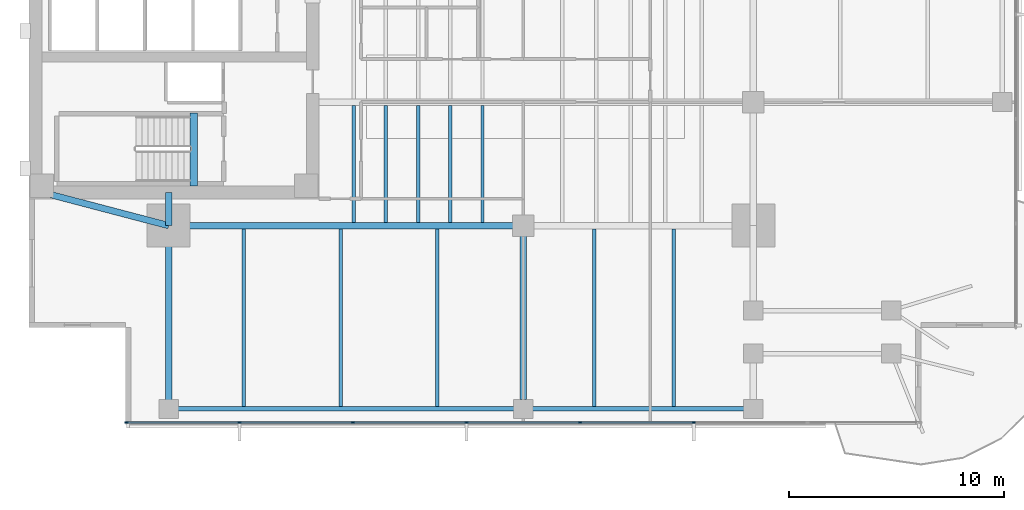
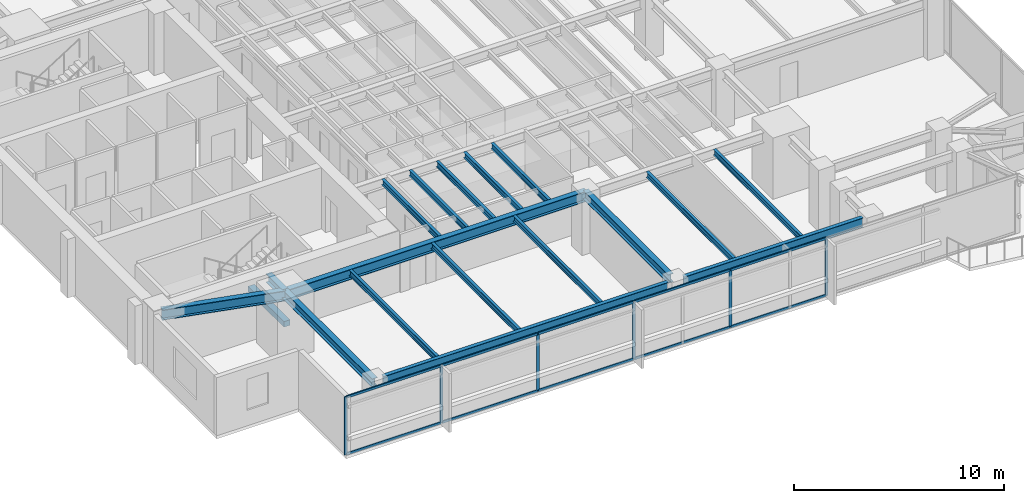
# One storey, part 2 of 14: 18 beams, 16 members, 1 element without a shape of its own.
"""IFC4 building model written with IfcOpenShell, lengths in metres."""

from ifc_helpers import new_model, si_unit, direction, frame, origin, origin_2d, place, context, subcontext, project, spatial, rectangle, i_section, extrude, material, layer, layer_set, material_profile, profile_set, type_object, element, aggregate, save


model = new_model("IFC4")

# Units and contexts
model_context = context("Model", 3, precision=1e-05, world=origin(), true_north=direction((0.0, 1.0)))
body_context = subcontext(model_context, "Body", "Model", "MODEL_VIEW")
ifc_project = project(units=[si_unit("LENGTHUNIT", "METRE"), si_unit("AREAUNIT", "SQUARE_METRE"), si_unit("VOLUMEUNIT", "CUBIC_METRE"), si_unit("PLANEANGLEUNIT", "RADIAN"), si_unit("MASSUNIT", "GRAM", prefix="KILO")], contexts=[model_context])

# Site, building, storey
site_placement = place(None, origin())
site = spatial("IfcSite", under=ifc_project, at=site_placement, CompositionType="ELEMENT")
building_placement = place(site_placement, origin())
building = spatial("IfcBuilding", under=site, at=building_placement, Name="Kinhvarn Gate Tower", CompositionType="ELEMENT")
storey_placement = place(building_placement, frame((0.0, 0.0, 144.85009765625)))
storey = spatial("IfcBuildingStorey", under=building, at=storey_placement, Name="L38", CompositionType="ELEMENT", Elevation=144.85009765625)

# Beam
ifc_material_1 = material(Name="Concrete C50/60", Category="concrete")
ifc_material_profile_1 = material_profile(ifc_material_1, rectangle(XDim=0.340087890625, YDim=0.320068359375, at=origin_2d()), Name="RC 340x320")
ifc_profile_set_1 = profile_set([ifc_material_profile_1], Name="Concrete C50/60")
beam_type_1 = type_object("IfcBeamType", Name="BM-LND-500", PredefinedType="BEAM", material=ifc_profile_set_1)
beam_1_placement = place(storey_placement, frame((12.1650390625, 14.60009765625, -0.16015625), z_axis=(0.0, 1.0, 0.0), x_axis=(-1.0, 0.0, 0.0)))
element("IfcBeam", 1, at=beam_1_placement, inside=storey, type_object=beam_type_1, Name="Stair ST1 Landing Nosing Beam (L38)", PredefinedType="BEAM", context=body_context, shape_type="SweptSolid", body=[
    extrude(rectangle(XDim=0.340087890625, YDim=0.320068359375, at=origin_2d()), origin(), (0.0, 0.0, 1.0), 3.39990234375),
])

# Curtain wall, members
ifc_material_2 = material(Name="Anodised aluminium AW-6063", Category="aluminium")
ifc_layer = layer(ifc_material_2, 0.179931640625)
ifc_layer_set = layer_set([ifc_layer], Name="Anodised aluminium AW-6063")
curtain_wall_type = type_object("IfcCurtainWallType", Name="CW-SYS-3", PredefinedType="NOTDEFINED", material=ifc_layer_set)
curtain_wall_placement = place(storey_placement, origin())
curtain_wall = element("IfcCurtainWall", 2, at=curtain_wall_placement, inside=storey, type_object=curtain_wall_type, Name="Curtain Wall CW3 (L38)", PredefinedType="NOTDEFINED")
ifc_material_profile_2 = material_profile(ifc_material_2, rectangle(XDim=0.06494140625, YDim=0.159912109375, at=origin_2d()), Name="ALU 65x160")
ifc_profile_set_2 = profile_set([ifc_material_profile_2], Name="Anodised aluminium AW-6063")
member_type_1 = type_object("IfcMemberType", Name="CW-MUL-160", PredefinedType="MULLION", material=ifc_profile_set_2)
member_1_placement = place(storey_placement, frame((9.032470703125, 3.590087890625, 0.0), z_axis=(0.0, 0.0, 1.0), x_axis=(0.0, 1.0, 0.0)))
member_1 = element("IfcMember", 3, at=member_1_placement, type_object=member_type_1, Name="CW3 mullion 1", PredefinedType="MULLION", context=body_context, shape_type="SweptSolid", body=[
    extrude(rectangle(XDim=0.06494140625, YDim=0.159912109375, at=origin_2d()), origin(), (0.0, 0.0, 1.0), 3.369873046875),
])
member_2_placement = place(storey_placement, frame((14.28564453125, 3.590087890625, 0.0), z_axis=(0.0, 0.0, 1.0), x_axis=(0.0, 1.0, 0.0)))
member_2 = element("IfcMember", 4, at=member_2_placement, type_object=member_type_1, Name="CW3 mullion 2", PredefinedType="MULLION", context=body_context, shape_type="SweptSolid", body=[
    extrude(rectangle(XDim=0.06494140625, YDim=0.159912109375, at=origin_2d()), origin(), (0.0, 0.0, 1.0), 3.369873046875),
])
member_3_placement = place(storey_placement, frame((19.571533203125, 3.590087890625, 0.0), z_axis=(0.0, 0.0, 1.0), x_axis=(0.0, 1.0, 0.0)))
member_3 = element("IfcMember", 5, at=member_3_placement, type_object=member_type_1, Name="CW3 mullion 3", PredefinedType="MULLION", context=body_context, shape_type="SweptSolid", body=[
    extrude(rectangle(XDim=0.06494140625, YDim=0.159912109375, at=origin_2d()), origin(), (0.0, 0.0, 1.0), 3.369873046875),
])
member_4_placement = place(storey_placement, frame((24.857177734375, 3.590087890625, 0.0), z_axis=(0.0, 0.0, 1.0), x_axis=(0.0, 1.0, 0.0)))
member_4 = element("IfcMember", 6, at=member_4_placement, type_object=member_type_1, Name="CW3 mullion 4", PredefinedType="MULLION", context=body_context, shape_type="SweptSolid", body=[
    extrude(rectangle(XDim=0.06494140625, YDim=0.159912109375, at=origin_2d()), origin(), (0.0, 0.0, 1.0), 3.369873046875),
])
member_5_placement = place(storey_placement, frame((30.142822265625, 3.590087890625, 0.0), z_axis=(0.0, 0.0, 1.0), x_axis=(0.0, 1.0, 0.0)))
member_5 = element("IfcMember", 7, at=member_5_placement, type_object=member_type_1, Name="CW3 mullion 5", PredefinedType="MULLION", context=body_context, shape_type="SweptSolid", body=[
    extrude(rectangle(XDim=0.06494140625, YDim=0.159912109375, at=origin_2d()), origin(), (0.0, 0.0, 1.0), 3.369873046875),
])
member_6_placement = place(storey_placement, frame((35.428466796875, 3.590087890625, 0.0), z_axis=(0.0, 0.0, 1.0), x_axis=(0.0, 1.0, 0.0)))
member_6 = element("IfcMember", 8, at=member_6_placement, type_object=member_type_1, Name="CW3 mullion 6", PredefinedType="MULLION", context=body_context, shape_type="SweptSolid", body=[
    extrude(rectangle(XDim=0.06494140625, YDim=0.159912109375, at=origin_2d()), origin(), (0.0, 0.0, 1.0), 3.369873046875),
])
ifc_material_profile_3 = material_profile(ifc_material_2, rectangle(XDim=0.070068359375, YDim=0.139892578125, at=origin_2d()), Name="ALU 70x140")
ifc_profile_set_3 = profile_set([ifc_material_profile_3], Name="Anodised aluminium AW-6063")
member_type_2 = type_object("IfcMemberType", Name="CW-TRN-140", PredefinedType="USERDEFINED", material=ifc_profile_set_3)
member_7_placement = place(storey_placement, frame((9.06494140625, 3.590087890625, 0.034912109375), z_axis=(1.0, 0.0, 0.0), x_axis=(0.0, 1.0, 0.0)))
member_7 = element("IfcMember", 9, at=member_7_placement, type_object=member_type_2, Name="CW3 transom 1.1", ObjectType="TRANSOM", PredefinedType="USERDEFINED", context=body_context, shape_type="SweptSolid", body=[
    extrude(rectangle(XDim=0.070068359375, YDim=0.139892578125, at=origin_2d()), origin(), (0.0, 0.0, 1.0), 5.188232421875),
])
member_8_placement = place(storey_placement, frame((9.06494140625, 3.590087890625, 3.3349609375), z_axis=(1.0, 0.0, 0.0), x_axis=(0.0, 1.0, 0.0)))
member_8 = element("IfcMember", 10, at=member_8_placement, type_object=member_type_2, Name="CW3 transom 1.2", ObjectType="TRANSOM", PredefinedType="USERDEFINED", context=body_context, shape_type="SweptSolid", body=[
    extrude(rectangle(XDim=0.070068359375, YDim=0.139892578125, at=origin_2d()), origin(), (0.0, 0.0, 1.0), 5.188232421875),
])
member_9_placement = place(storey_placement, frame((14.318115234375, 3.590087890625, 0.034912109375), z_axis=(1.0, 0.0, 0.0), x_axis=(0.0, 1.0, 0.0)))
member_9 = element("IfcMember", 11, at=member_9_placement, type_object=member_type_2, Name="CW3 transom 2.1", ObjectType="TRANSOM", PredefinedType="USERDEFINED", context=body_context, shape_type="SweptSolid", body=[
    extrude(rectangle(XDim=0.070068359375, YDim=0.139892578125, at=origin_2d()), origin(), (0.0, 0.0, 1.0), 5.220703125),
])
member_10_placement = place(storey_placement, frame((14.318115234375, 3.590087890625, 3.3349609375), z_axis=(1.0, 0.0, 0.0), x_axis=(0.0, 1.0, 0.0)))
member_10 = element("IfcMember", 12, at=member_10_placement, type_object=member_type_2, Name="CW3 transom 2.2", ObjectType="TRANSOM", PredefinedType="USERDEFINED", context=body_context, shape_type="SweptSolid", body=[
    extrude(rectangle(XDim=0.070068359375, YDim=0.139892578125, at=origin_2d()), origin(), (0.0, 0.0, 1.0), 5.220703125),
])
member_11_placement = place(storey_placement, frame((19.60400390625, 3.590087890625, 0.034912109375), z_axis=(1.0, 0.0, 0.0), x_axis=(0.0, 1.0, 0.0)))
member_11 = element("IfcMember", 13, at=member_11_placement, type_object=member_type_2, Name="CW3 transom 3.1", ObjectType="TRANSOM", PredefinedType="USERDEFINED", context=body_context, shape_type="SweptSolid", body=[
    extrude(rectangle(XDim=0.070068359375, YDim=0.139892578125, at=origin_2d()), origin(), (0.0, 0.0, 1.0), 5.220703125),
])
member_12_placement = place(storey_placement, frame((19.60400390625, 3.590087890625, 3.3349609375), z_axis=(1.0, 0.0, 0.0), x_axis=(0.0, 1.0, 0.0)))
member_12 = element("IfcMember", 14, at=member_12_placement, type_object=member_type_2, Name="CW3 transom 3.2", ObjectType="TRANSOM", PredefinedType="USERDEFINED", context=body_context, shape_type="SweptSolid", body=[
    extrude(rectangle(XDim=0.070068359375, YDim=0.139892578125, at=origin_2d()), origin(), (0.0, 0.0, 1.0), 5.220703125),
])
member_13_placement = place(storey_placement, frame((24.8896484375, 3.590087890625, 0.034912109375), z_axis=(1.0, 0.0, 0.0), x_axis=(0.0, 1.0, 0.0)))
member_13 = element("IfcMember", 15, at=member_13_placement, type_object=member_type_2, Name="CW3 transom 4.1", ObjectType="TRANSOM", PredefinedType="USERDEFINED", context=body_context, shape_type="SweptSolid", body=[
    extrude(rectangle(XDim=0.070068359375, YDim=0.139892578125, at=origin_2d()), origin(), (0.0, 0.0, 1.0), 5.220703125),
])
member_14_placement = place(storey_placement, frame((24.8896484375, 3.590087890625, 3.3349609375), z_axis=(1.0, 0.0, 0.0), x_axis=(0.0, 1.0, 0.0)))
member_14 = element("IfcMember", 16, at=member_14_placement, type_object=member_type_2, Name="CW3 transom 4.2", ObjectType="TRANSOM", PredefinedType="USERDEFINED", context=body_context, shape_type="SweptSolid", body=[
    extrude(rectangle(XDim=0.070068359375, YDim=0.139892578125, at=origin_2d()), origin(), (0.0, 0.0, 1.0), 5.220703125),
])
member_15_placement = place(storey_placement, frame((30.17529296875, 3.590087890625, 0.034912109375), z_axis=(1.0, 0.0, 0.0), x_axis=(0.0, 1.0, 0.0)))
member_15 = element("IfcMember", 17, at=member_15_placement, type_object=member_type_2, Name="CW3 transom 5.1", ObjectType="TRANSOM", PredefinedType="USERDEFINED", context=body_context, shape_type="SweptSolid", body=[
    extrude(rectangle(XDim=0.070068359375, YDim=0.139892578125, at=origin_2d()), origin(), (0.0, 0.0, 1.0), 5.220703125),
])
member_16_placement = place(storey_placement, frame((30.17529296875, 3.590087890625, 3.3349609375), z_axis=(1.0, 0.0, 0.0), x_axis=(0.0, 1.0, 0.0)))
member_16 = element("IfcMember", 18, at=member_16_placement, type_object=member_type_2, Name="CW3 transom 5.2", ObjectType="TRANSOM", PredefinedType="USERDEFINED", context=body_context, shape_type="SweptSolid", body=[
    extrude(rectangle(XDim=0.070068359375, YDim=0.139892578125, at=origin_2d()), origin(), (0.0, 0.0, 1.0), 5.220703125),
])
aggregate(curtain_wall, [member_1, member_2, member_3, member_4, member_5, member_6, member_7, member_8, member_9, member_10, member_11, member_12, member_13, member_14, member_15, member_16])

# Beams
ifc_material_3 = material(Name="Steel S355", Category="steel")
ifc_material_profile_4 = material_profile(ifc_material_3, i_section(OverallWidth=0.300048828125, OverallDepth=0.5, WebThickness=0.014404296875, FlangeThickness=0.028076171875, at=origin_2d()), Name="HEB 500")
ifc_profile_set_4 = profile_set([ifc_material_profile_4], Name="Steel S355")
beam_type_2 = type_object("IfcBeamType", Name="STL-HEB500", PredefinedType="BEAM", material=ifc_profile_set_4)
beam_2_placement = place(storey_placement, frame((11.0, 4.219970703125, 3.119873046875), z_axis=(0.0, 1.0, 0.0), x_axis=(-1.0, 0.0, 0.0)))
element("IfcBeam", 19, at=beam_2_placement, inside=storey, type_object=beam_type_2, Name="Floor Beam PG-14 (L38 MCW-S)", PredefinedType="BEAM", context=body_context, shape_type="SweptSolid", body=[
    extrude(i_section(OverallWidth=0.300048828125, OverallDepth=0.5, WebThickness=0.014404296875, FlangeThickness=0.028076171875, at=origin_2d()), origin(), (0.0, 0.0, 1.0), 8.530029296875),
])
beam_3_placement = place(storey_placement, frame((11.0, 12.75, 3.119873046875), z_axis=(0.0, 1.0, 0.0), x_axis=(-1.0, 0.0, 0.0)))
element("IfcBeam", 20, at=beam_3_placement, inside=storey, type_object=beam_type_2, Name="Floor Beam PG-14 (L38 MCW-CS)", PredefinedType="BEAM", context=body_context, shape_type="SweptSolid", body=[
    extrude(i_section(OverallWidth=0.300048828125, OverallDepth=0.5, WebThickness=0.014404296875, FlangeThickness=0.028076171875, at=origin_2d()), origin(), (0.0, 0.0, 1.0), 1.550048828125),
])
beam_4_placement = place(storey_placement, frame((27.5, 4.655029296875, 3.119873046875), z_axis=(0.0, 1.0, 0.0), x_axis=(-1.0, 0.0, 0.0)))
element("IfcBeam", 21, at=beam_4_placement, inside=storey, type_object=beam_type_2, Name="Floor Beam PG-14 (L38 SP27-S-TIE)", PredefinedType="BEAM", context=body_context, shape_type="SweptSolid", body=[
    extrude(i_section(OverallWidth=0.300048828125, OverallDepth=0.5, WebThickness=0.014404296875, FlangeThickness=0.028076171875, at=origin_2d()), origin(), (0.0, 0.0, 1.0), 8.094970703125),
])
ifc_material_profile_5 = material_profile(ifc_material_3, i_section(OverallWidth=0.300048828125, OverallDepth=0.60009765625, WebThickness=0.015380859375, FlangeThickness=0.030029296875, at=origin_2d()), Name="HEB 600")
ifc_profile_set_5 = profile_set([ifc_material_profile_5], Name="Steel S355")
beam_type_3 = type_object("IfcBeamType", Name="STL-HEB600", PredefinedType="BEAM", material=ifc_profile_set_5)
beam_5_placement = place(storey_placement, frame((11.0, 12.75, 3.06982421875), z_axis=(1.0, 0.0, 0.0), x_axis=(0.0, 1.0, 0.0)))
element("IfcBeam", 22, at=beam_5_placement, inside=storey, type_object=beam_type_3, Name="Floor Beam PG-16 (L38 MG-S1)", PredefinedType="BEAM", context=body_context, shape_type="SweptSolid", body=[
    extrude(i_section(OverallWidth=0.300048828125, OverallDepth=0.60009765625, WebThickness=0.015380859375, FlangeThickness=0.030029296875, at=origin_2d()), origin(), (0.0, 0.0, 1.0), 16.5),
])
beam_6_placement = place(storey_placement, frame((5.10009765625, 14.300048828125, 3.06982421875), z_axis=(0.967177623957, -0.254101246979, 0.0), x_axis=(0.254101246979, 0.967177623957, 0.0)))
element("IfcBeam", 23, at=beam_6_placement, inside=storey, type_object=beam_type_3, Name="Floor Beam PG-16 (L38 MG-SW-DIAG)", PredefinedType="BEAM", context=body_context, shape_type="SweptSolid", body=[
    extrude(i_section(OverallWidth=0.300048828125, OverallDepth=0.60009765625, WebThickness=0.015380859375, FlangeThickness=0.030029296875, at=origin_2d()), origin(), (0.0, 0.0, 1.0), 6.10009765625),
])
ifc_material_profile_6 = material_profile(ifc_material_3, i_section(OverallWidth=0.159912109375, OverallDepth=0.330078125, WebThickness=0.007568359375, FlangeThickness=0.011474609375, at=origin_2d()), Name="IPE 330")
ifc_profile_set_6 = profile_set([ifc_material_profile_6], Name="Steel S355")
beam_type_4 = type_object("IfcBeamType", Name="STL-IPE330", PredefinedType="JOIST", material=ifc_profile_set_6)
for number, where, z_axis, x_axis, name in (
    (24, (19.60009765625, 12.89990234375, 3.204833984375), (0.0, 1.0, 0.0), (-1.0, 0.0, 0.0), "Floor Joist SB-03 (L38 JC-X196-0)"),
    (25, (21.10009765625, 12.89990234375, 3.204833984375), (0.0, 1.0, 0.0), (-1.0, 0.0, 0.0), "Floor Joist SB-03 (L38 JC-X211-0)"),
    (26, (22.60009765625, 12.89990234375, 3.204833984375), (0.0, 1.0, 0.0), (-1.0, 0.0, 0.0), "Floor Joist SB-03 (L38 JC-X226-0)"),
    (27, (24.10009765625, 12.89990234375, 3.204833984375), (0.0, 1.0, 0.0), (-1.0, 0.0, 0.0), "Floor Joist SB-03 (L38 JC-X241-0)"),
    (28, (25.60009765625, 12.89990234375, 3.204833984375), (0.0, 1.0, 0.0), (-1.0, 0.0, 0.0), "Floor Joist SB-03 (L38 JC-X256-0)"),
):
    element("IfcBeam", number, at=place(storey_placement, frame(where, z_axis=z_axis, x_axis=x_axis)), inside=storey, type_object=beam_type_4, Name=name, PredefinedType="JOIST", context=body_context, shape_type="SweptSolid", body=[
        extrude(i_section(OverallWidth=0.159912109375, OverallDepth=0.330078125, WebThickness=0.007568359375, FlangeThickness=0.011474609375, at=origin_2d()), origin(), (0.0, 0.0, 1.0), 5.4501953125),
    ])
for number, where, z_axis, x_axis, name in (
    (29, (14.5, 4.324951171875, 3.204833984375), (0.0, 1.0, 0.0), (-1.0, 0.0, 0.0), "Floor Joist SB-03 (L38 JS-X145)"),
    (30, (19.0, 4.324951171875, 3.204833984375), (0.0, 1.0, 0.0), (-1.0, 0.0, 0.0), "Floor Joist SB-03 (L38 JS-X190)"),
    (31, (23.5, 4.324951171875, 3.204833984375), (0.0, 1.0, 0.0), (-1.0, 0.0, 0.0), "Floor Joist SB-03 (L38 JS-X235)"),
    (32, (30.800048828125, 4.324951171875, 3.204833984375), (0.0, 1.0, 0.0), (-1.0, 0.0, 0.0), "Floor Joist SB-03 (L38 JS-X308)"),
    (33, (34.5, 4.324951171875, 3.204833984375), (0.0, 1.0, 0.0), (-1.0, 0.0, 0.0), "Floor Joist SB-03 (L38 JS-X345)"),
):
    element("IfcBeam", number, at=place(storey_placement, frame(where, z_axis=z_axis, x_axis=x_axis)), inside=storey, type_object=beam_type_4, Name=name, PredefinedType="JOIST", context=body_context, shape_type="SweptSolid", body=[
        extrude(i_section(OverallWidth=0.159912109375, OverallDepth=0.330078125, WebThickness=0.007568359375, FlangeThickness=0.011474609375, at=origin_2d()), origin(), (0.0, 0.0, 1.0), 8.275146484375),
    ])
ifc_material_profile_7 = material_profile(ifc_material_3, i_section(OverallWidth=0.2099609375, OverallDepth=0.550048828125, WebThickness=0.010986328125, FlangeThickness=0.01708984375, at=origin_2d()), Name="IPE 550")
ifc_profile_set_7 = profile_set([ifc_material_profile_7], Name="Steel S355")
beam_type_5 = type_object("IfcBeamType", Name="STL-IPE550", PredefinedType="SPANDREL", material=ifc_profile_set_7)
beam_7_placement = place(storey_placement, frame((11.43505859375, 4.219970703125, 3.094970703125), z_axis=(1.0, 0.0, 0.0), x_axis=(0.0, 1.0, 0.0)))
element("IfcBeam", 34, at=beam_7_placement, inside=storey, type_object=beam_type_5, Name="Floor Spandrel SB-08 (L38 SP-S1)", PredefinedType="SPANDREL", context=body_context, shape_type="SweptSolid", body=[
    extrude(i_section(OverallWidth=0.2099609375, OverallDepth=0.550048828125, WebThickness=0.010986328125, FlangeThickness=0.01708984375, at=origin_2d()), origin(), (0.0, 0.0, 1.0), 15.6298828125),
])
beam_8_placement = place(storey_placement, frame((27.93505859375, 4.219970703125, 3.094970703125), z_axis=(1.0, 0.0, 0.0), x_axis=(0.0, 1.0, 0.0)))
element("IfcBeam", 35, at=beam_8_placement, inside=storey, type_object=beam_type_5, Name="Floor Spandrel SB-08 (L38 SP-S2)", PredefinedType="SPANDREL", context=body_context, shape_type="SweptSolid", body=[
    extrude(i_section(OverallWidth=0.2099609375, OverallDepth=0.550048828125, WebThickness=0.010986328125, FlangeThickness=0.01708984375, at=origin_2d()), origin(), (0.0, 0.0, 1.0), 9.829833984375),
])

save(model, "model.ifc")
